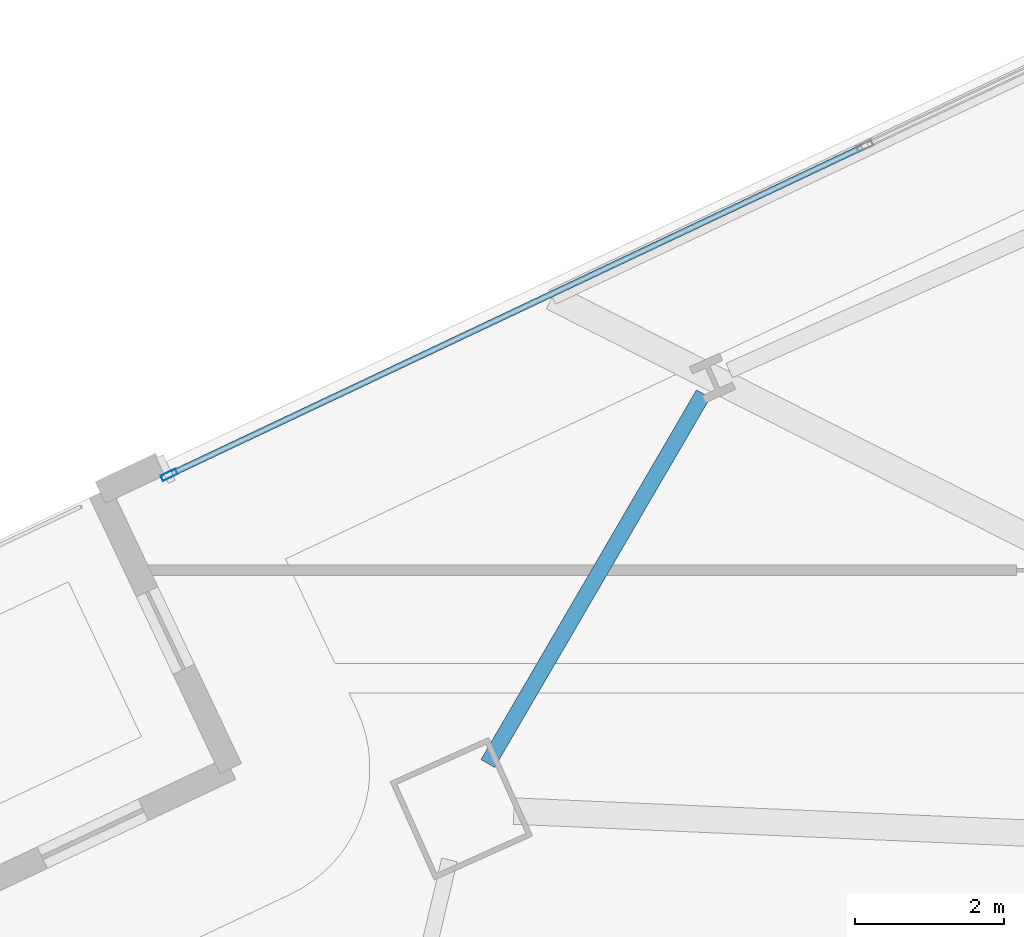
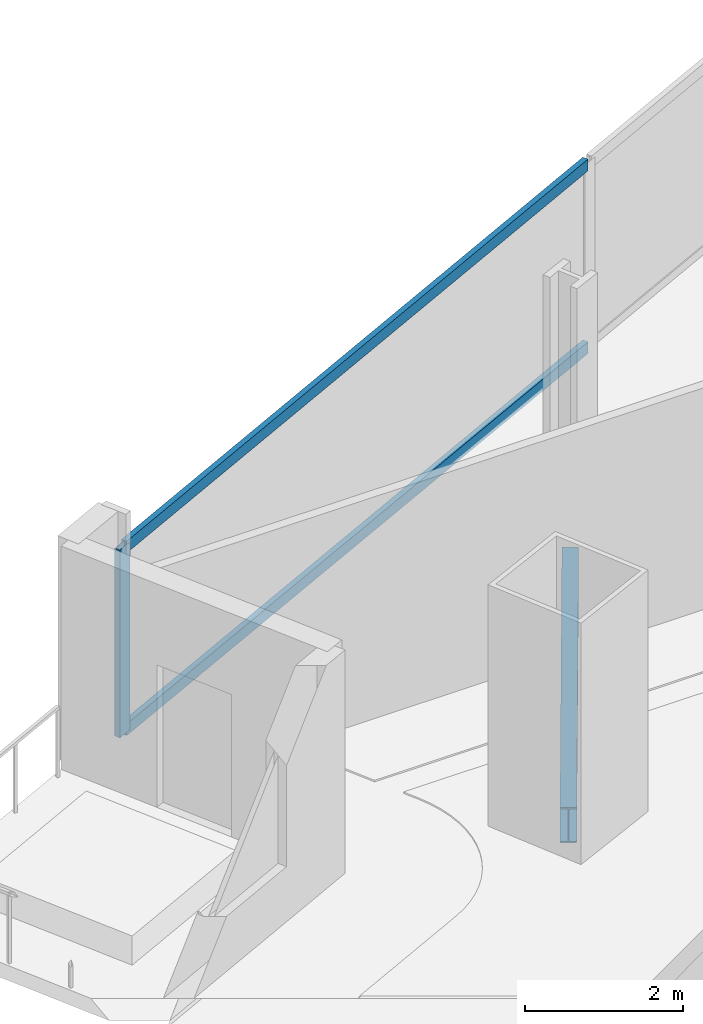
# One storey, part 15 of 34: 3 members, 1 beam, 1 element without a shape of its own.
"""IFC4 building model written with IfcOpenShell, lengths in metres."""

from ifc_helpers import new_model, si_unit, direction, frame, origin, origin_2d, place, context, subcontext, project, spatial, hollow_rectangle, i_section, extrude, material, material_profile, profile_set, type_object, element, aggregate, save


model = new_model("IFC4")

# Units and contexts
model_context = context("Model", 3, precision=1e-05, world=origin(), true_north=direction((0.0, 1.0)))
body_context = subcontext(model_context, "Body", "Model", "MODEL_VIEW")
ifc_project = project(units=[si_unit("LENGTHUNIT", "METRE"), si_unit("AREAUNIT", "SQUARE_METRE"), si_unit("VOLUMEUNIT", "CUBIC_METRE"), si_unit("PLANEANGLEUNIT", "RADIAN"), si_unit("MASSUNIT", "GRAM", prefix="KILO")], contexts=[model_context])

# Site, building, storey
site_placement = place(None, origin())
site = spatial("IfcSite", under=ifc_project, at=site_placement, CompositionType="ELEMENT")
building_placement = place(site_placement, origin())
building = spatial("IfcBuilding", under=site, at=building_placement, Name="Haldenkirk Collegiate Tower", CompositionType="ELEMENT")
storey_placement = place(building_placement, frame((0.0, 0.0, 112.949951171875)))
storey = spatial("IfcBuildingStorey", under=building, at=storey_placement, Name="L27", CompositionType="ELEMENT", Elevation=112.949951171875)

# Beam
ifc_material_1 = material(Name="Steel ASTM A992 Grade 50", Category="steel")
ifc_material_profile_1 = material_profile(ifc_material_1, i_section(OverallWidth=0.2119140625, OverallDepth=0.5439453125, WebThickness=0.01318359375, FlangeThickness=0.021240234375, at=origin_2d()), Name="W21X83")
ifc_profile_set_1 = profile_set([ifc_material_profile_1], Name="Steel ASTM A992 Grade 50")
beam_type = type_object("IfcBeamType", Name="BM-SPANDREL-W21X83", PredefinedType="SPANDREL", material=ifc_profile_set_1)
beam_placement = place(storey_placement, frame((14.035888671875, 40.27001953125, -0.572021484375), z_axis=(-0.503649179098, -0.863908273137, 0.0), x_axis=(0.863908273137, -0.503649179098, 0.0)))
element("IfcBeam", 1, at=beam_placement, inside=storey, type_object=beam_type, Name="L27 perimeter spandrel beam 12", PredefinedType="SPANDREL", context=body_context, shape_type="SweptSolid", body=[
    extrude(i_section(OverallWidth=0.2119140625, OverallDepth=0.5439453125, WebThickness=0.01318359375, FlangeThickness=0.021240234375, at=origin_2d()), origin(), (0.0, 0.0, 1.0), 5.748046875),
])

# Curtain wall, members
ifc_material_2 = material(Name="Anodised architectural bronze aluminium", Category="aluminium")
curtain_wall_type = type_object("IfcCurtainWallType", Name="CW-SYS1-CONVEX-LOW", PredefinedType="USERDEFINED", material=ifc_material_2)
curtain_wall_placement = place(storey_placement, origin())
curtain_wall = element("IfcCurtainWall", 2, at=curtain_wall_placement, inside=storey, type_object=curtain_wall_type, Name="L27 Lower tower convex bronze-framed unitised curtain wall", ObjectType="UNITISED CURTAIN WALL", PredefinedType="USERDEFINED")
ifc_material_profile_2 = material_profile(ifc_material_2, hollow_rectangle(XDim=0.080078125, YDim=0.219970703125, WallThickness=0.0048828125, at=origin_2d()), Name="CW-MUL-1A")
ifc_profile_set_2 = profile_set([ifc_material_profile_2], Name="Anodised architectural bronze aluminium")
member_type_1 = type_object("IfcMemberType", Name="CW-MUL-1A", PredefinedType="MULLION", material=ifc_profile_set_2)
member_1_placement = place(storey_placement, frame((6.86181640625, 39.181884765625, 0.0), z_axis=(0.0, 0.0, 1.0), x_axis=(-0.42735906226, 0.904081982955, 0.0)))
member_1 = element("IfcMember", 3, at=member_1_placement, type_object=member_type_1, Name="CW-1A mullion 1", PredefinedType="MULLION", context=body_context, shape_type="SweptSolid", body=[
    extrude(hollow_rectangle(XDim=0.080078125, YDim=0.219970703125, WallThickness=0.0048828125, at=origin_2d()), origin(), (0.0, 0.0, 1.0), 2.901123046875),
])
ifc_material_profile_3 = material_profile(ifc_material_2, hollow_rectangle(XDim=0.080078125, YDim=0.179931640625, WallThickness=0.0048828125, at=origin_2d()), Name="CW-TRN-1A")
ifc_profile_set_3 = profile_set([ifc_material_profile_3], Name="Anodised architectural bronze aluminium")
member_type_2 = type_object("IfcMemberType", Name="CW-TRN-1A", PredefinedType="USERDEFINED", material=ifc_profile_set_3)
member_2_placement = place(storey_placement, frame((6.89794921875, 39.198974609375, 0.0400390625), z_axis=(0.904079792565, 0.427363696019, 0.0), x_axis=(-0.427363696019, 0.904079792565, 0.0)))
member_2 = element("IfcMember", 4, at=member_2_placement, type_object=member_type_2, Name="CW-1A transom 1.1", ObjectType="TRANSOM", PredefinedType="USERDEFINED", context=body_context, shape_type="SweptSolid", body=[
    extrude(hollow_rectangle(XDim=0.080078125, YDim=0.179931640625, WallThickness=0.0048828125, at=origin_2d()), origin(), (0.0, 0.0, 1.0), 10.2548828125),
])
member_3_placement = place(storey_placement, frame((6.89794921875, 39.198974609375, 2.861083984375), z_axis=(0.904079792565, 0.427363696019, 0.0), x_axis=(-0.427363696019, 0.904079792565, 0.0)))
member_3 = element("IfcMember", 5, at=member_3_placement, type_object=member_type_2, Name="CW-1A transom 1.2", ObjectType="TRANSOM", PredefinedType="USERDEFINED", context=body_context, shape_type="SweptSolid", body=[
    extrude(hollow_rectangle(XDim=0.080078125, YDim=0.179931640625, WallThickness=0.0048828125, at=origin_2d()), origin(), (0.0, 0.0, 1.0), 10.2548828125),
])
aggregate(curtain_wall, [member_1, member_2, member_3])

save(model, "model.ifc")
